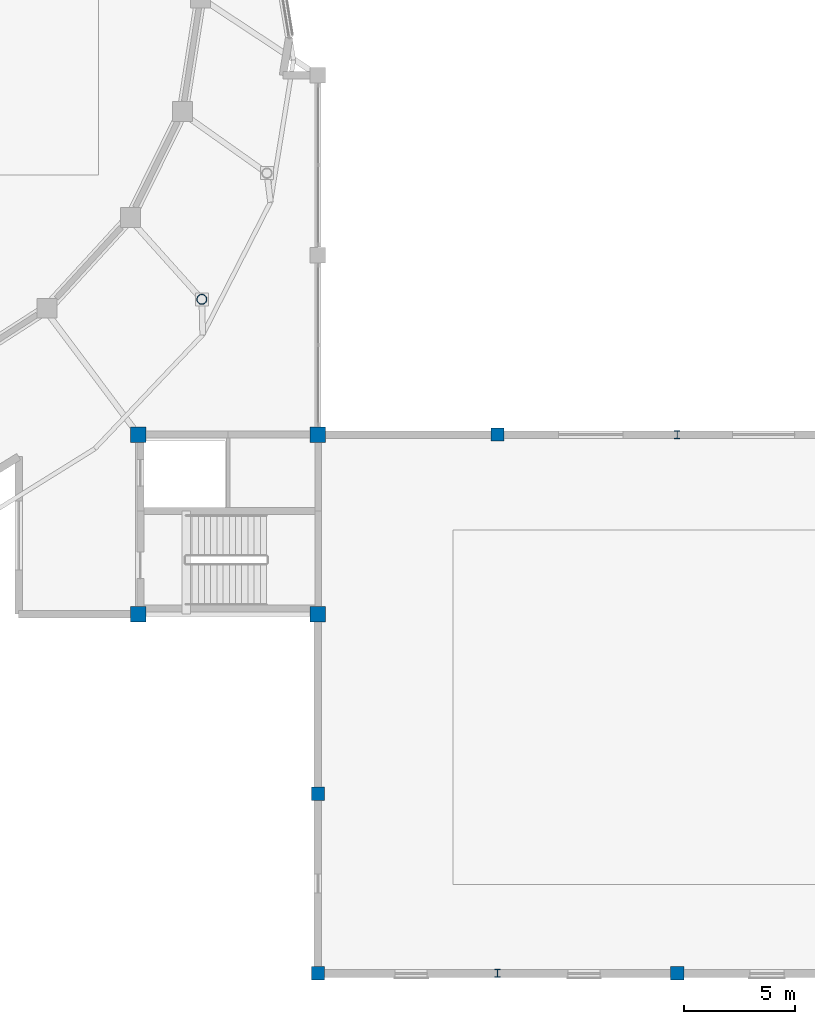
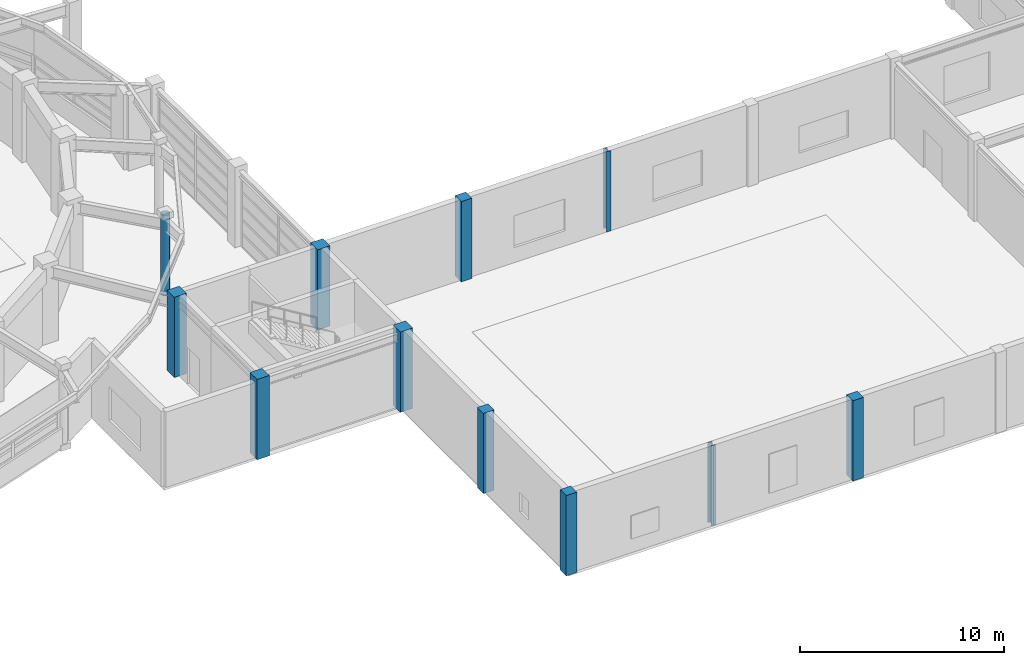
# One storey, part 3 of 56: 11 columns.
"""IFC4 building model written with IfcOpenShell, lengths in metres."""

from ifc_helpers import new_model, si_unit, direction, frame, origin, origin_2d, place, context, subcontext, project, spatial, rectangle, hollow_circle, i_section, extrude, material, material_profile, profile_set, type_object, element, save


model = new_model("IFC4")

# Units and contexts
model_context = context("Model", 3, precision=1e-05, world=origin(), true_north=direction((0.0, 1.0)))
body_context = subcontext(model_context, "Body", "Model", "MODEL_VIEW")
ifc_project = project(units=[si_unit("LENGTHUNIT", "METRE"), si_unit("AREAUNIT", "SQUARE_METRE"), si_unit("VOLUMEUNIT", "CUBIC_METRE"), si_unit("PLANEANGLEUNIT", "RADIAN"), si_unit("MASSUNIT", "GRAM", prefix="KILO")], contexts=[model_context])

# Site, building, storey
site_placement = place(None, origin())
site = spatial("IfcSite", under=ifc_project, at=site_placement, CompositionType="ELEMENT")
building_placement = place(site_placement, origin())
building = spatial("IfcBuilding", under=site, at=building_placement, Name="Parian Resonance Hall", CompositionType="ELEMENT")
storey_placement = place(building_placement, frame((0.0, 0.0, 5.39990234375)))
storey = spatial("IfcBuildingStorey", under=building, at=storey_placement, Name="L01", CompositionType="ELEMENT", Elevation=5.39990234375)

# Columns
ifc_material_1 = material(Name="Hollow structural steel S355", Category="steel")
ifc_material_profile_1 = material_profile(ifc_material_1, hollow_circle(Radius=0.228515625, WallThickness=0.02001953125, at=origin_2d()), Name="CHS457x20")
ifc_profile_set_1 = profile_set([ifc_material_profile_1], Name="Hollow structural steel S355")
column_type_1 = type_object("IfcColumnType", Name="COL-CHS457", PredefinedType="COLUMN", material=ifc_profile_set_1)
column_placement = place(storey_placement, frame((67.6611328125, 30.39990234375, 0.0), z_axis=(0.0, 0.0, 1.0), x_axis=(1.0, 0.0, 0.0)))
element("IfcColumn", 1, at=column_placement, inside=storey, type_object=column_type_1, Name="Column RNG-23 L01", PredefinedType="COLUMN", context=body_context, shape_type="SweptSolid", body=[
    extrude(hollow_circle(Radius=0.228515625, WallThickness=0.02001953125, at=origin_2d()), origin(), (0.0, 0.0, 1.0), 4.800048828125),
])
ifc_material_2 = material(Name="Concrete C40/50", Category="concrete")
ifc_material_profile_2 = material_profile(ifc_material_2, rectangle(XDim=0.60009765625, YDim=0.60009765625, at=origin_2d()), Name="RC-COL-600x600")
ifc_profile_set_2 = profile_set([ifc_material_profile_2], Name="Concrete C40/50")
column_type_2 = type_object("IfcColumnType", Name="COL-RC600", PredefinedType="COLUMN", material=ifc_profile_set_2)
for number, where, z_axis, x_axis, name in (
    (2, (72.89990234375, 0.0, 0.0), (0.0, 0.0, 1.0), (1.0, 0.0, 0.0), "Column G10-01 L01"),
    (3, (72.89990234375, 8.10009765625, 0.0), (0.0, 0.0, 1.0), (1.0, 0.0, 0.0), "Column G10-02 L01"),
    (4, (81.0, 24.300048828125, 0.0), (0.0, 0.0, 1.0), (1.0, 0.0, 0.0), "Column G11-04 L01"),
    (5, (89.10009765625, 0.0, 0.0), (0.0, 0.0, 1.0), (1.0, 0.0, 0.0), "Column G12-01 L01"),
):
    element("IfcColumn", number, at=place(storey_placement, frame(where, z_axis=z_axis, x_axis=x_axis)), inside=storey, type_object=column_type_2, Name=name, PredefinedType="COLUMN", context=body_context, shape_type="SweptSolid", body=[
        extrude(rectangle(XDim=0.60009765625, YDim=0.60009765625, at=origin_2d()), origin(), (0.0, 0.0, 1.0), 4.800048828125),
    ])
ifc_material_3 = material(Name="Concrete C40/50", Category="concrete")
ifc_material_profile_3 = material_profile(ifc_material_3, rectangle(XDim=0.699951171875, YDim=0.699951171875, at=origin_2d()), Name="RC-COL-700x700")
ifc_profile_set_3 = profile_set([ifc_material_profile_3], Name="Concrete C40/50")
column_type_3 = type_object("IfcColumnType", Name="COL-RC700", PredefinedType="COLUMN", material=ifc_profile_set_3)
for number, where, z_axis, x_axis, name in (
    (6, (64.800048828125, 16.199951171875, 0.0), (0.0, 0.0, 1.0), (1.0, 0.0, 0.0), "Column G09-03 L01"),
    (7, (64.800048828125, 24.300048828125, 0.0), (0.0, 0.0, 1.0), (1.0, 0.0, 0.0), "Column G09-04 L01"),
    (8, (72.89990234375, 16.199951171875, 0.0), (0.0, 0.0, 1.0), (1.0, 0.0, 0.0), "Column G10-03 L01"),
    (9, (72.89990234375, 24.300048828125, 0.0), (0.0, 0.0, 1.0), (1.0, 0.0, 0.0), "Column G10-04 L01"),
):
    element("IfcColumn", number, at=place(storey_placement, frame(where, z_axis=z_axis, x_axis=x_axis)), inside=storey, type_object=column_type_3, Name=name, PredefinedType="COLUMN", context=body_context, shape_type="SweptSolid", body=[
        extrude(rectangle(XDim=0.699951171875, YDim=0.699951171875, at=origin_2d()), origin(), (0.0, 0.0, 1.0), 4.800048828125),
    ])
ifc_material_4 = material(Name="Steel S355", Category="steel")
ifc_material_profile_4 = material_profile(ifc_material_4, i_section(OverallWidth=0.2548828125, OverallDepth=0.35693359375, WebThickness=0.010498046875, FlangeThickness=0.018310546875, FilletRadius=0.01513671875, at=origin_2d()), Name="W360x101")
ifc_profile_set_4 = profile_set([ifc_material_profile_4], Name="Steel S355")
column_type_4 = type_object("IfcColumnType", Name="COL-W360", PredefinedType="COLUMN", material=ifc_profile_set_4)
for number, where, z_axis, x_axis, name in (
    (10, (81.0, 0.0, 0.0), (0.0, 0.0, 1.0), (1.0, 0.0, 0.0), "Column G11-01 L01"),
    (11, (89.10009765625, 24.300048828125, 0.0), (0.0, 0.0, 1.0), (1.0, 0.0, 0.0), "Column G12-04 L01"),
):
    element("IfcColumn", number, at=place(storey_placement, frame(where, z_axis=z_axis, x_axis=x_axis)), inside=storey, type_object=column_type_4, Name=name, PredefinedType="COLUMN", context=body_context, shape_type="SweptSolid", body=[
        extrude(i_section(OverallWidth=0.2548828125, OverallDepth=0.35693359375, WebThickness=0.010498046875, FlangeThickness=0.018310546875, FilletRadius=0.01513671875, at=origin_2d()), origin(), (0.0, 0.0, 1.0), 4.800048828125),
    ])

save(model, "model.ifc")
